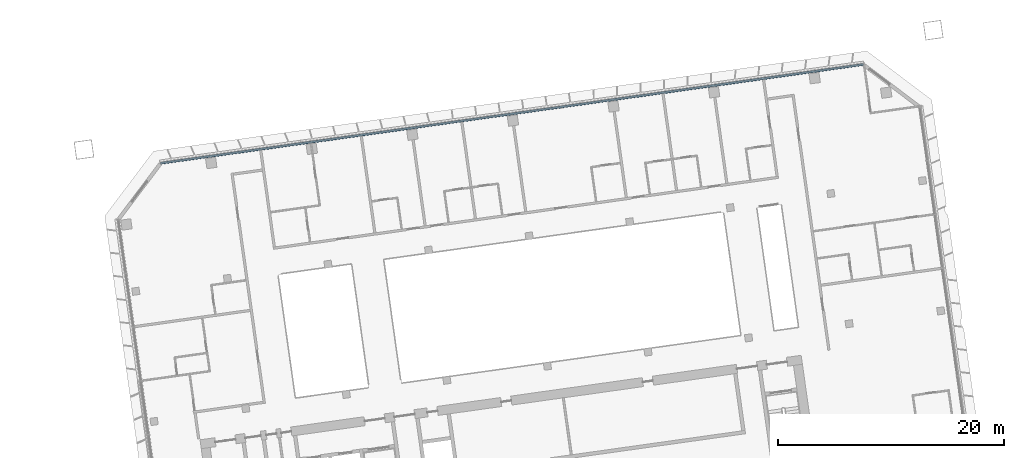
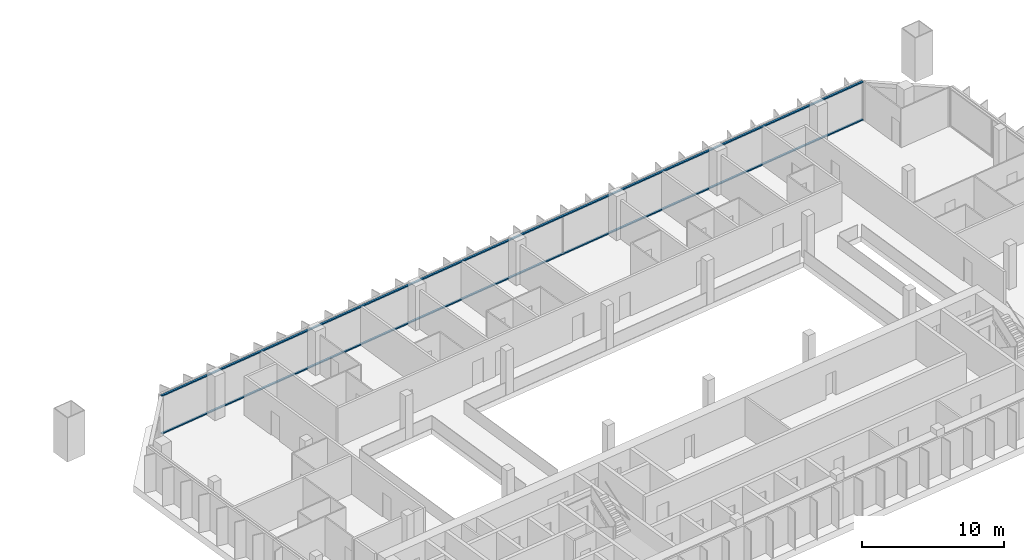
# One storey, part 9 of 25: 2 members, 1 element without a shape of its own.
"""IFC4 building model written with IfcOpenShell, lengths in metres."""

from ifc_helpers import new_model, si_unit, direction, frame, origin, origin_2d, place, context, subcontext, project, spatial, rectangle, extrude, material, material_profile, profile_set, type_object, element, aggregate, save


model = new_model("IFC4")

# Units and contexts
model_context = context("Model", 3, precision=1e-05, world=origin(), true_north=direction((0.0, 1.0)))
body_context = subcontext(model_context, "Body", "Model", "MODEL_VIEW")
ifc_project = project(units=[si_unit("LENGTHUNIT", "METRE"), si_unit("AREAUNIT", "SQUARE_METRE"), si_unit("VOLUMEUNIT", "CUBIC_METRE"), si_unit("PLANEANGLEUNIT", "RADIAN"), si_unit("MASSUNIT", "GRAM", prefix="KILO")], contexts=[model_context])

# Site, building, storey
site_placement = place(None, origin())
site = spatial("IfcSite", under=ifc_project, at=site_placement, CompositionType="ELEMENT")
building_placement = place(site_placement, origin())
building = spatial("IfcBuilding", under=site, at=building_placement, Name="Mirante Cascada Hotel Towers", CompositionType="ELEMENT")
storey_placement = place(building_placement, frame((0.0, 0.0, 136.7)))
storey = spatial("IfcBuildingStorey", under=building, at=storey_placement, Name="L31", CompositionType="ELEMENT", Elevation=136.7)

# Curtain wall, members
ifc_material_1 = material(Name="Aluminium mullion and transom frame with clear laminated glass", Category="aluminium")
curtain_wall_type = type_object("IfcCurtainWallType", Name="Ribbon curtain wall ECW1", PredefinedType="NOTDEFINED", material=ifc_material_1)
curtain_wall_placement = place(storey_placement, origin())
curtain_wall = element("IfcCurtainWall", 1, at=curtain_wall_placement, inside=storey, type_object=curtain_wall_type, Name="Front ribbon wall T2 L31", PredefinedType="NOTDEFINED")
ifc_material_2 = material(Name="Anodised aluminium extrusion", Category="aluminium")
ifc_material_profile = material_profile(ifc_material_2, rectangle(XDim=0.16, YDim=0.1, at=origin_2d()), Name="ECW1 TRANSOM 100x160")
ifc_profile_set = profile_set([ifc_material_profile], Name="Anodised aluminium extrusion")
member_type = type_object("IfcMemberType", Name="ECW1 transom 100x160", PredefinedType="USERDEFINED", material=ifc_profile_set)
member_1_placement = place(storey_placement, frame((94.1582, 26.0521, 0.05), z_axis=(-0.9902681, -0.1391728, 0.0), x_axis=(0.1391728, -0.9902681, 0.0)))
member_1 = element("IfcMember", 2, at=member_1_placement, type_object=member_type, Name="ECW1 sill transom", ObjectType="TRANSOM", PredefinedType="USERDEFINED", context=body_context, shape_type="SweptSolid", body=[
    extrude(rectangle(XDim=0.16, YDim=0.1, at=origin_2d()), origin(), (0.0, 0.0, 1.0), 62.8758),
])
member_2_placement = place(storey_placement, frame((94.1582, 26.0521, 3.3), z_axis=(-0.9902681, -0.1391728, 0.0), x_axis=(0.1391728, -0.9902681, 0.0)))
member_2 = element("IfcMember", 3, at=member_2_placement, type_object=member_type, Name="ECW1 head transom", ObjectType="TRANSOM", PredefinedType="USERDEFINED", context=body_context, shape_type="SweptSolid", body=[
    extrude(rectangle(XDim=0.16, YDim=0.1, at=origin_2d()), origin(), (0.0, 0.0, 1.0), 62.8758),
])
aggregate(curtain_wall, [member_1, member_2])

save(model, "model.ifc")
